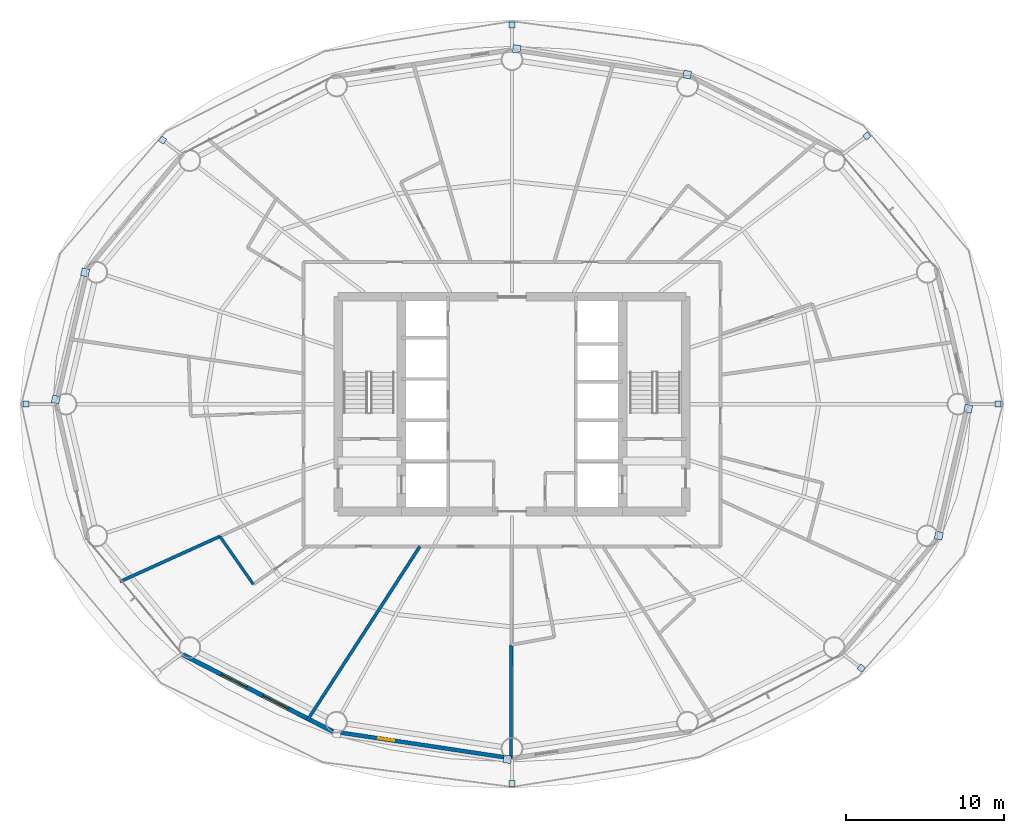
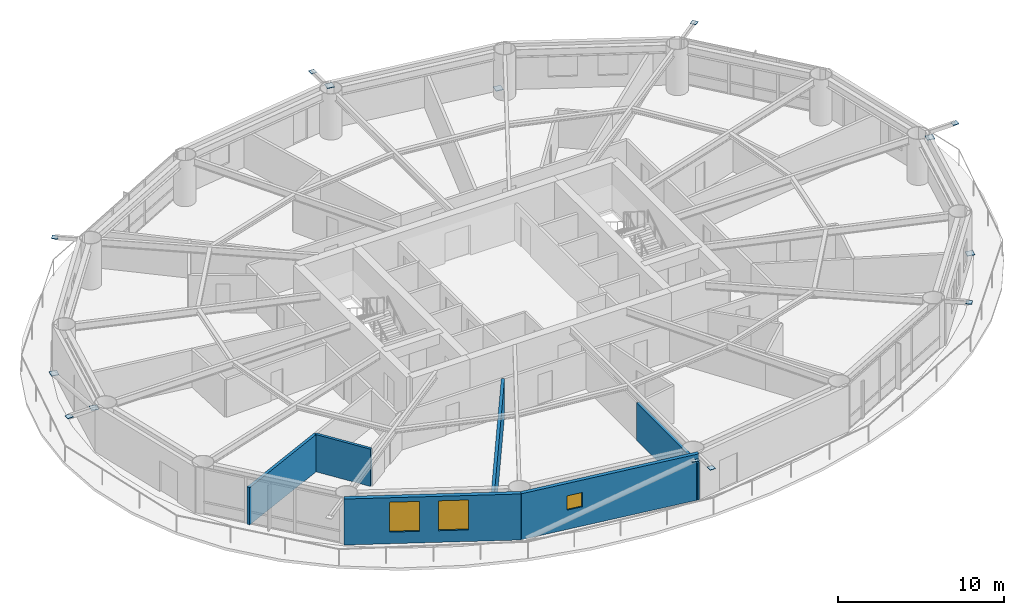
# One storey, part 17 of 24: 14 plates, 6 walls, 3 windows, 3 openings.
"""IFC4 building model written with IfcOpenShell, lengths in metres."""

from ifc_helpers import new_model, si_unit, direction, frame, frame_2d, origin, origin_2d, place, context, subcontext, project, spatial, rectangle, extrude, material, layer, layer_set, type_object, element, fill, save


model = new_model("IFC4")

# Units and contexts
model_context = context("Model", 3, precision=1e-05, world=origin(), true_north=direction((0.0, 1.0)))
body_context = subcontext(model_context, "Body", "Model", "MODEL_VIEW")
ifc_project = project(units=[si_unit("LENGTHUNIT", "METRE"), si_unit("AREAUNIT", "SQUARE_METRE"), si_unit("VOLUMEUNIT", "CUBIC_METRE"), si_unit("PLANEANGLEUNIT", "RADIAN"), si_unit("MASSUNIT", "GRAM", prefix="KILO")], contexts=[model_context])

# Site, building, storey
site_placement = place(None, origin())
site = spatial("IfcSite", under=ifc_project, at=site_placement, CompositionType="ELEMENT")
building_placement = place(site_placement, origin())
building = spatial("IfcBuilding", under=site, at=building_placement, Name="Sarneth Arch Tower", CompositionType="ELEMENT")
storey_placement = place(building_placement, frame((0.0, 0.0, 120.0)))
storey = spatial("IfcBuildingStorey", under=building, at=storey_placement, Name="L30", CompositionType="ELEMENT", Elevation=120.0)

# Plates
ifc_material_1 = material(Name="Steel S355", Category="steel")
ifc_layer_1 = layer(ifc_material_1, 0.035888671875)
ifc_layer_set_1 = layer_set([ifc_layer_1], Name="Steel S355")
plate_type = type_object("IfcPlateType", Name="PLT-GUSSET-30", PredefinedType="SHEET", material=ifc_layer_set_1)
for number, where, z_axis, x_axis, name in (
    (1, (78.781005859375, 42.0, 3.2021484375), (0.0, 0.0, 1.0), (1.0, 0.0, 0.0), "Steel end cap plate GP-1"),
    (2, (70.46533203125, 58.9775390625, 3.2021484375), (0.0, 0.0, 1.0), (0.797794439539, 0.602929541689, 0.0), "Steel end cap plate GP-1"),
):
    element("IfcPlate", number, at=place(storey_placement, frame(where, z_axis=z_axis, x_axis=x_axis)), inside=storey, type_object=plate_type, Name=name, PredefinedType="SHEET", context=body_context, shape_type="SweptSolid", body=[
        extrude(rectangle(XDim=0.3798828125, YDim=0.3798828125, at=origin_2d()), origin(), (0.0, 0.0, 1.0), 0.035888671875),
    ])
for number, where, z_axis, x_axis, name in (
    (3, (59.0927734375, 62.859619140625, 0.001953125), (0.0, 0.0, 1.0), (-0.988860535448, 0.148845024885, 0.0), "Steel end cap plate GP-1"),
    (4, (48.296630859375, 64.4853515625, 2.99560546875), (0.0, 0.0, 1.0), (-0.988860535448, 0.148845024885, 0.0), "Steel end cap plate GP-1"),
):
    element("IfcPlate", number, at=place(storey_placement, frame(where, z_axis=z_axis, x_axis=x_axis)), inside=storey, type_object=plate_type, Name=name, PredefinedType="SHEET", context=body_context, shape_type="SweptSolid", body=[
        extrude(rectangle(XDim=0.486083984375, YDim=0.486083984375, at=origin_2d()), origin(), (0.0, 0.0, 1.0), 0.035888671875),
    ])
for number, where, z_axis, x_axis, name in (
    (5, (48.0, 66.005615234375, 3.2021484375), (0.0, 0.0, 1.0), (0.0, 1.0, 0.0), "Steel end cap plate GP-1"),
    (6, (25.88037109375, 58.71630859375, 3.2021484375), (0.0, 0.0, 1.0), (-0.797794439539, 0.602929541689, 0.0), "Steel end cap plate GP-1"),
):
    element("IfcPlate", number, at=place(storey_placement, frame(where, z_axis=z_axis, x_axis=x_axis)), inside=storey, type_object=plate_type, Name=name, PredefinedType="SHEET", context=body_context, shape_type="SweptSolid", body=[
        extrude(rectangle(XDim=0.3798828125, YDim=0.3798828125, at=origin_2d()), origin(), (0.0, 0.0, 1.0), 0.035888671875),
    ])
for number, where, z_axis, x_axis, name in (
    (7, (20.98046875, 50.32958984375, 0.001953125), (0.0, 0.0, 1.0), (-0.225291159947, -0.974291482694, 0.0), "Steel end cap plate GP-1"),
    (8, (19.121337890625, 42.292236328125, 2.99560546875), (0.0, 0.0, 1.0), (-0.225291159947, -0.974291482694, 0.0), "Steel end cap plate GP-1"),
):
    element("IfcPlate", number, at=place(storey_placement, frame(where, z_axis=z_axis, x_axis=x_axis)), inside=storey, type_object=plate_type, Name=name, PredefinedType="SHEET", context=body_context, shape_type="SweptSolid", body=[
        extrude(rectangle(XDim=0.486083984375, YDim=0.486083984375, at=origin_2d()), origin(), (0.0, 0.0, 1.0), 0.035888671875),
    ])
plate_1_placement = place(storey_placement, frame((17.218994140625, 42.0, 3.2021484375), z_axis=(0.0, 0.0, 1.0), x_axis=(-1.0, 0.0, 0.0)))
element("IfcPlate", 9, at=plate_1_placement, inside=storey, type_object=plate_type, Name="Steel end cap plate GP-1", PredefinedType="SHEET", context=body_context, shape_type="SweptSolid", body=[
    extrude(rectangle(XDim=0.3798828125, YDim=0.3798828125, at=origin_2d()), origin(), (0.0, 0.0, 1.0), 0.035888671875),
])
plate_2_placement = place(storey_placement, frame((47.703369140625, 19.5146484375, 2.99560546875), z_axis=(0.0, 0.0, 1.0), x_axis=(0.988860535448, -0.148845024885, 0.0)))
element("IfcPlate", 10, at=plate_2_placement, inside=storey, type_object=plate_type, Name="Steel end cap plate GP-1", PredefinedType="SHEET", context=body_context, shape_type="SweptSolid", body=[
    extrude(rectangle(XDim=0.486083984375, YDim=0.486083984375, at=origin_2d()), origin(), (0.0, 0.0, 1.0), 0.035888671875),
])
for number, where, z_axis, x_axis, name in (
    (11, (48.0, 17.994384765625, 3.2021484375), (0.0, 0.0, 1.0), (0.0, -1.0, 0.0), "Steel end cap plate GP-1"),
    (12, (70.11962890625, 25.28369140625, 3.2021484375), (0.0, 0.0, 1.0), (0.797794439539, -0.602929541689, 0.0), "Steel end cap plate GP-1"),
):
    element("IfcPlate", number, at=place(storey_placement, frame(where, z_axis=z_axis, x_axis=x_axis)), inside=storey, type_object=plate_type, Name=name, PredefinedType="SHEET", context=body_context, shape_type="SweptSolid", body=[
        extrude(rectangle(XDim=0.3798828125, YDim=0.3798828125, at=origin_2d()), origin(), (0.0, 0.0, 1.0), 0.035888671875),
    ])
for number, where, z_axis, x_axis, name in (
    (13, (75.01953125, 33.67041015625, 0.001953125), (0.0, 0.0, 1.0), (0.225291159947, 0.974291482694, 0.0), "Steel end cap plate GP-1"),
    (14, (76.878662109375, 41.707763671875, 2.99560546875), (0.0, 0.0, 1.0), (0.225291159947, 0.974291482694, 0.0), "Steel end cap plate GP-1"),
):
    element("IfcPlate", number, at=place(storey_placement, frame(where, z_axis=z_axis, x_axis=x_axis)), inside=storey, type_object=plate_type, Name=name, PredefinedType="SHEET", context=body_context, shape_type="SweptSolid", body=[
        extrude(rectangle(XDim=0.486083984375, YDim=0.486083984375, at=origin_2d()), origin(), (0.0, 0.0, 1.0), 0.035888671875),
    ])

# Wall, opening, window
ifc_material_2 = material(Name="Extruded terracotta rainscreen on Concrete C40/50 backing", Category="masonry")
ifc_layer_2 = layer(ifc_material_2, 0.25)
ifc_layer_set_2 = layer_set([ifc_layer_2], Name="Extruded terracotta rainscreen on Concrete C40/50 backing")
wall_type_1 = type_object("IfcWallType", Name="WALL-EXT-SPAND-250", PredefinedType="SOLIDWALL", material=ifc_layer_set_2)
wall_1_placement = place(storey_placement, frame((36.648681640625, 21.27734375, 0.0), z_axis=(0.0, 0.0, 1.0), x_axis=(0.988877774656, -0.148730450117, 0.0)))
wall_1 = element("IfcWall", 15, at=wall_1_placement, inside=storey, type_object=wall_type_1, Name="L30 Terracotta perimeter wall 12", PredefinedType="SOLIDWALL", context=body_context, shape_type="SweptSolid", body=[
    extrude(rectangle(XDim=11.47900390625, YDim=0.25, at=frame_2d((5.739501953125, 0.0))), origin(), (0.0, 0.0, 1.0), 3.3798828125),
])
opening_1_placement = place(wall_1_placement, frame((2.925537109375, 0.0, 1.419921875)))
opening_1 = element("IfcOpeningElement", 16, at=opening_1_placement, cuts=wall_1, Name="Opening W-14", PredefinedType="OPENING", context=body_context, shape_type="SweptSolid", body=[
    extrude(rectangle(XDim=1.0, YDim=1.050048828125, at=frame_2d((0.5, 0.52490234375))), frame((0.0, 0.135009765625, 0.0), z_axis=(0.0, -1.0, 0.0), x_axis=(1.0, 0.0, 0.0)), (0.0, 0.0, 1.0), 0.27001953125),
])
ifc_material_3 = material(Name="Thermally broken Aluminium 6063-T6 and low-e laminated IGU", Category="aluminium")
window_type_1 = type_object("IfcWindowType", Name="WIN-TWR-1000x1050", PartitioningType="SINGLE_PANEL", PredefinedType="WINDOW", material=ifc_material_3)
window_1_placement = place(opening_1_placement, origin())
window_1 = element("IfcWindow", 17, at=window_1_placement, inside=storey, type_object=window_type_1, Name="L30 Dwelling bedroom window 01", OverallHeight=1.050048828125, OverallWidth=1.0, PartitioningType="SINGLE_PANEL", PredefinedType="WINDOW", context=body_context, shape_type="SweptSolid", body=[
    extrude(rectangle(XDim=1.0, YDim=1.050048828125, at=frame_2d((0.5, 0.52490234375))), frame((0.0, 0.030029296875, 0.0), z_axis=(0.0, -1.0, 0.0), x_axis=(1.0, 0.0, 0.0)), (0.0, 0.0, 1.0), 0.06005859375),
])
fill(opening_1, window_1)

# Wall, openings, windows
ifc_material_4 = material(Name="Extruded terracotta rainscreen on Concrete C40/50 backing", Category="masonry")
ifc_layer_3 = layer(ifc_material_4, 0.280029296875)
ifc_layer_set_3 = layer_set([ifc_layer_3], Name="Extruded terracotta rainscreen on Concrete C40/50 backing")
wall_type_2 = type_object("IfcWallType", Name="WALL-EXT-TERRA-280", PredefinedType="SOLIDWALL", material=ifc_layer_set_3)
wall_2_placement = place(storey_placement, frame((27.159912109375, 26.1396484375, 0.0), z_axis=(0.0, 0.0, 1.0), x_axis=(0.889959505023, -0.45603955905, 0.0)))
wall_2 = element("IfcWall", 18, at=wall_2_placement, inside=storey, type_object=wall_type_2, Name="L30 Terracotta perimeter wall 11", PredefinedType="SOLIDWALL", context=body_context, shape_type="SweptSolid", body=[
    extrude(rectangle(XDim=10.662109375, YDim=0.280029296875, at=frame_2d((5.3310546875, 0.0))), origin(), (0.0, 0.0, 1.0), 3.3798828125),
])
opening_2_placement = place(wall_2_placement, frame((2.747802734375, 0.0, 0.85009765625)))
opening_2 = element("IfcOpeningElement", 19, at=opening_2_placement, cuts=wall_2, Name="Opening W-04", PredefinedType="OPENING", context=body_context, shape_type="SweptSolid", body=[
    extrude(rectangle(XDim=1.800048828125, YDim=2.199951171875, at=frame_2d((0.89990234375, 1.10009765625))), frame((0.0, 0.14990234375, 0.0), z_axis=(0.0, -1.0, 0.0), x_axis=(1.0, 0.0, 0.0)), (0.0, 0.0, 1.0), 0.300048828125),
])
opening_3_placement = place(wall_2_placement, frame((5.704833984375, 0.0, 0.85009765625)))
opening_3 = element("IfcOpeningElement", 20, at=opening_3_placement, cuts=wall_2, Name="Opening W-04", PredefinedType="OPENING", context=body_context, shape_type="SweptSolid", body=[
    extrude(rectangle(XDim=1.800048828125, YDim=2.199951171875, at=frame_2d((0.89990234375, 1.10009765625))), frame((0.0, 0.14990234375, 0.0), z_axis=(0.0, -1.0, 0.0), x_axis=(1.0, 0.0, 0.0)), (0.0, 0.0, 1.0), 0.300048828125),
])
ifc_material_5 = material(Name="Thermally broken Aluminium 6063-T6 and low-e laminated IGU", Category="aluminium")
window_type_2 = type_object("IfcWindowType", Name="WIN-TWR-1800x2200", PartitioningType="DOUBLE_PANEL_VERTICAL", PredefinedType="WINDOW", material=ifc_material_5)
window_2_placement = place(opening_2_placement, origin())
window_2 = element("IfcWindow", 21, at=window_2_placement, inside=storey, type_object=window_type_2, Name="L30 Exterior window 11A", OverallHeight=2.199951171875, OverallWidth=1.800048828125, PartitioningType="SINGLE_PANEL", PredefinedType="WINDOW", context=body_context, shape_type="SweptSolid", body=[
    extrude(rectangle(XDim=1.800048828125, YDim=2.199951171875, at=frame_2d((0.89990234375, 1.10009765625))), frame((0.0, 0.030029296875, 0.0), z_axis=(0.0, -1.0, 0.0), x_axis=(1.0, 0.0, 0.0)), (0.0, 0.0, 1.0), 0.06005859375),
])
fill(opening_2, window_2)
window_3_placement = place(opening_3_placement, origin())
window_3 = element("IfcWindow", 22, at=window_3_placement, inside=storey, type_object=window_type_2, Name="L30 Exterior window 11B", OverallHeight=2.199951171875, OverallWidth=1.800048828125, PartitioningType="SINGLE_PANEL", PredefinedType="WINDOW", context=body_context, shape_type="SweptSolid", body=[
    extrude(rectangle(XDim=1.800048828125, YDim=2.199951171875, at=frame_2d((0.89990234375, 1.10009765625))), frame((0.0, 0.030029296875, 0.0), z_axis=(0.0, -1.0, 0.0), x_axis=(1.0, 0.0, 0.0)), (0.0, 0.0, 1.0), 0.06005859375),
])
fill(opening_3, window_3)

# Walls
ifc_material_6 = material(Name="Moisture-resistant plumbing chase wall", Category="gypsum")
ifc_layer_4 = layer(ifc_material_6, 0.179931640625)
ifc_layer_set_4 = layer_set([ifc_layer_4], Name="Moisture-resistant plumbing chase wall")
wall_type_3 = type_object("IfcWallType", Name="WALL-PLUMB-180", PredefinedType="PLUMBINGWALL", material=ifc_layer_set_4)
wall_3_placement = place(storey_placement, frame((31.621826171875, 30.58984375, 0.0), z_axis=(0.0, 0.0, 1.0), x_axis=(-0.571609603384, 0.820525722521, 0.0)))
element("IfcWall", 23, at=wall_3_placement, inside=storey, type_object=wall_type_3, Name="L30 Interior partition W-L30-TP-049", PredefinedType="PLUMBINGWALL", context=body_context, shape_type="SweptSolid", body=[
    extrude(rectangle(XDim=3.69970703125, YDim=0.179931640625, at=frame_2d((1.849853515625, 0.0))), origin(), (0.0, 0.0, 1.0), 2.739990234375),
])
ifc_material_7 = material(Name="Double steel-stud acoustic drywall", Category="steel")
ifc_layer_5 = layer(ifc_material_7, 0.199951171875)
ifc_layer_set_5 = layer_set([ifc_layer_5], Name="Double steel-stud acoustic drywall")
wall_type_4 = type_object("IfcWallType", Name="WALL-UNIT-200", PredefinedType="PARTITIONING", material=ifc_layer_set_5)
wall_4_placement = place(storey_placement, frame((35.037109375, 21.96923828125, 0.0), z_axis=(0.0, 0.0, 1.0), x_axis=(0.543298274368, 0.839539745973, 0.0)))
element("IfcWall", 24, at=wall_4_placement, inside=storey, type_object=wall_type_4, Name="L30 Interior partition W-L30-TP-050", PredefinedType="PARTITIONING", context=body_context, shape_type="SweptSolid", body=[
    extrude(rectangle(XDim=13.13916015625, YDim=0.199951171875, at=frame_2d((6.569580078125, 0.0))), origin(), (0.0, 0.0, 1.0), 2.739990234375),
])
wall_5_placement = place(storey_placement, frame((47.928466796875, 19.460693359375, 0.0), z_axis=(0.0, 0.0, 1.0), x_axis=(0.003178198127, 0.999994949516, 0.0)))
element("IfcWall", 25, at=wall_5_placement, inside=storey, type_object=wall_type_4, Name="L30 Interior partition W-L30-TP-051", PredefinedType="PARTITIONING", context=body_context, shape_type="SweptSolid", body=[
    extrude(rectangle(XDim=7.297607421875, YDim=0.199951171875, at=frame_2d((3.64892578125, 0.0))), origin(), (0.0, 0.0, 1.0), 2.739990234375),
])
wall_6_placement = place(storey_placement, frame((23.1845703125, 30.76220703125, 0.0), z_axis=(0.0, 0.0, 1.0), x_axis=(0.910940213411, 0.412538395292, 0.0)))
element("IfcWall", 26, at=wall_6_placement, inside=storey, type_object=wall_type_4, Name="L30 Interior partition W-L30-TP-046", PredefinedType="PARTITIONING", context=body_context, shape_type="SweptSolid", body=[
    extrude(rectangle(XDim=6.940673828125, YDim=0.199951171875, at=frame_2d((3.47021484375, 0.0))), origin(), (0.0, 0.0, 1.0), 2.739990234375),
])

save(model, "model.ifc")
